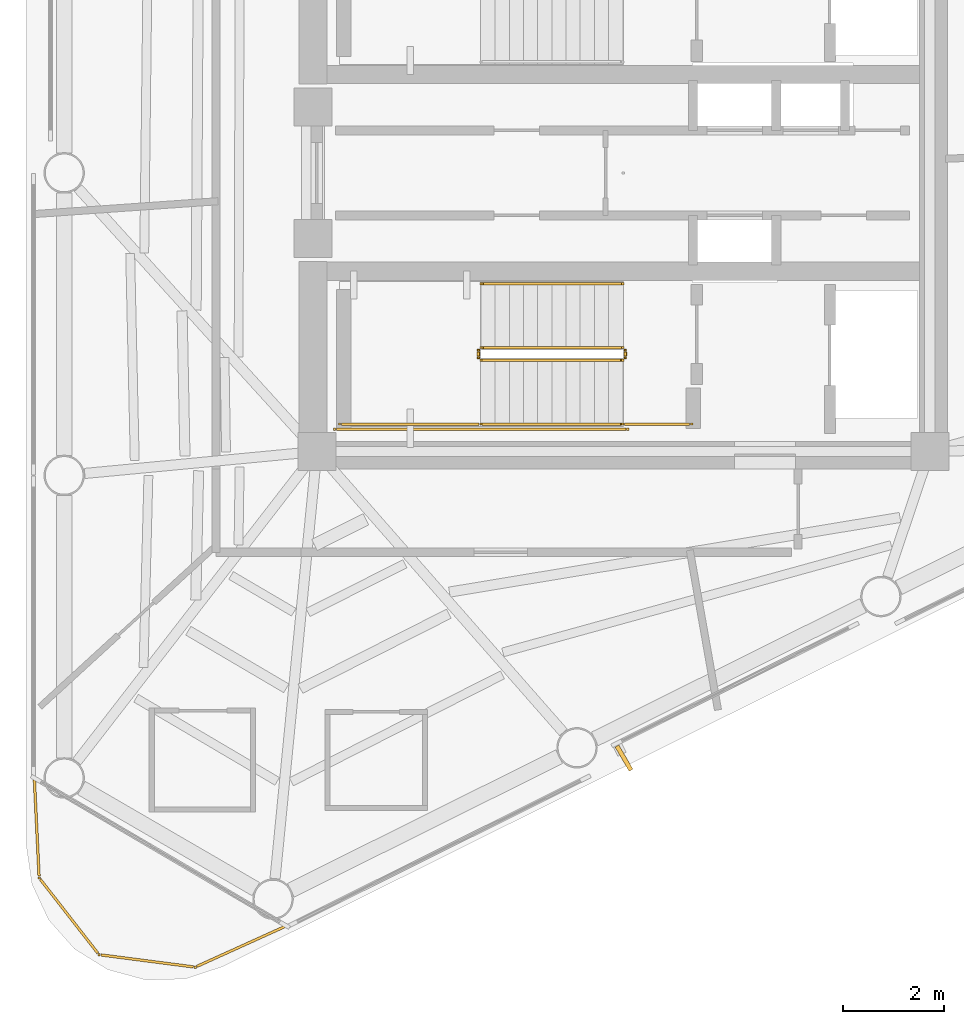
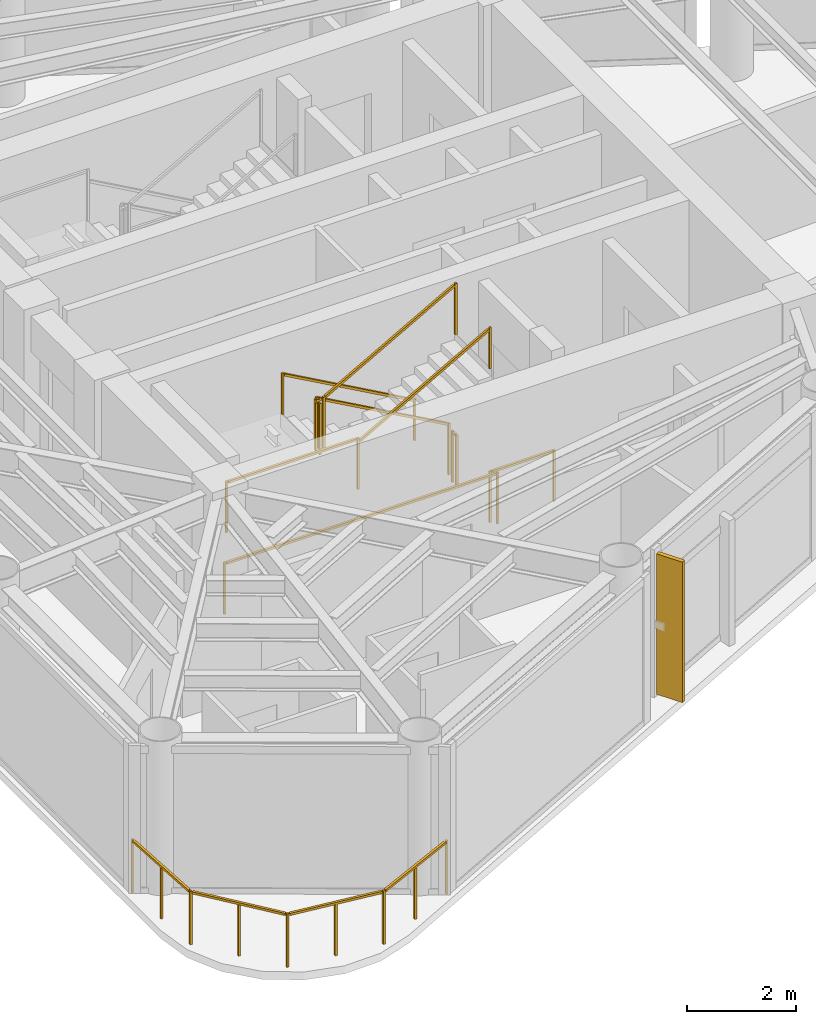
# One storey, part 7 of 10: 10 railings, 1 shading device.
"""IFC4 building model written with IfcOpenShell, lengths in metres."""

from ifc_helpers import new_model, si_unit, direction, frame, origin, origin_2d, place, context, subcontext, project, spatial, rectangle, extrude, source, transform, mapped, material, material_profile, profile_set, type_object, element, save


model = new_model("IFC4")

# Units and contexts
model_context = context("Model", 3, precision=1e-05, world=origin(), true_north=direction((0.0, 1.0)))
body_context = subcontext(model_context, "Body", "Model", "MODEL_VIEW")
ifc_project = project(units=[si_unit("LENGTHUNIT", "METRE"), si_unit("AREAUNIT", "SQUARE_METRE"), si_unit("VOLUMEUNIT", "CUBIC_METRE"), si_unit("PLANEANGLEUNIT", "RADIAN"), si_unit("MASSUNIT", "GRAM", prefix="KILO")], contexts=[model_context])

# Site, building, storey
site_placement = place(None, origin())
site = spatial("IfcSite", under=ifc_project, at=site_placement, CompositionType="ELEMENT")
building_placement = place(site_placement, origin())
building = spatial("IfcBuilding", under=site, at=building_placement, Name="Yunling Apex Tower", CompositionType="ELEMENT")
storey_placement = place(building_placement, frame((0.0, 0.0, 303.64990234375)))
storey = spatial("IfcBuildingStorey", under=building, at=storey_placement, Name="L74", CompositionType="ELEMENT", Elevation=303.64990234375)

# Railings
ifc_material_1 = material(Name="Bronze anodised aluminium", Category="aluminium")
railing_type_1 = type_object("IfcRailingType", Name="RL-BAL-1200", PredefinedType="BALUSTRADE", material=ifc_material_1)
railing_1_placement = place(storey_placement, frame((-6.651123046875, -14.864990234375, 0.0)))
element("IfcRailing", 1, at=railing_1_placement, inside=storey, type_object=railing_type_1, Name="RL-CRNSILL-L74-3", PredefinedType="BALUSTRADE", context=body_context, shape_type="SweptSolid", body=[
    extrude(rectangle(XDim=0.0439453125, YDim=0.0439453125, at=origin_2d()), origin(), (0.0, 0.0, 1.0), 1.199951171875),
    extrude(rectangle(XDim=0.0439453125, YDim=0.0439453125, at=origin_2d()), frame((-1.799560546875, -0.814697265625, 0.0)), (0.0, 0.0, 1.0), 1.199951171875),
    extrude(rectangle(XDim=0.050048828125, YDim=0.050048828125, at=origin_2d()), frame((-0.034912109375, -0.015869140625, 1.1748046875), z_axis=(-0.910991856267, -0.412424341929, 0.0), x_axis=(0.412424341929, -0.910991856267, 0.0)), (0.0, 0.0, 1.0), 1.898681640625),
    extrude(rectangle(XDim=0.0439453125, YDim=0.0439453125, at=origin_2d()), frame((-0.89990234375, -0.4072265625, 0.0)), (0.0, 0.0, 1.0), 1.14599609375),
    extrude(rectangle(XDim=0.0439453125, YDim=0.0439453125, at=origin_2d()), frame((-3.69921875, -0.568603515625, 0.0)), (0.0, 0.0, 1.0), 1.199951171875),
    extrude(rectangle(XDim=0.050048828125, YDim=0.050048828125, at=origin_2d()), frame((-1.837646484375, -0.809814453125, 1.1748046875), z_axis=(-0.991713034877, 0.128472784881, 0.0), x_axis=(-0.128472784881, -0.991713034877, 0.0)), (0.0, 0.0, 1.0), 1.8388671875),
    extrude(rectangle(XDim=0.0439453125, YDim=0.0439453125, at=origin_2d()), frame((-2.74951171875, -0.691650390625, 0.0)), (0.0, 0.0, 1.0), 1.14599609375),
    extrude(rectangle(XDim=0.0439453125, YDim=0.0439453125, at=origin_2d()), frame((-4.880126953125, 0.947265625, 0.0)), (0.0, 0.0, 1.0), 1.199951171875),
    extrude(rectangle(XDim=0.050048828125, YDim=0.050048828125, at=origin_2d()), frame((-3.72265625, -0.538330078125, 1.1748046875), z_axis=(-0.61455614591, 0.788873084548, 0.0), x_axis=(-0.788873084548, -0.61455614591, 0.0)), (0.0, 0.0, 1.0), 1.844970703125),
    extrude(rectangle(XDim=0.0439453125, YDim=0.0439453125, at=origin_2d()), frame((-4.28955078125, 0.189453125, 0.0)), (0.0, 0.0, 1.0), 1.14599609375),
    extrude(rectangle(XDim=0.0439453125, YDim=0.0439453125, at=origin_2d()), frame((-4.97607421875, 2.919677734375, 0.0)), (0.0, 0.0, 1.0), 1.199951171875),
    extrude(rectangle(XDim=0.050048828125, YDim=0.050048828125, at=origin_2d()), frame((-4.882080078125, 0.985595703125, 1.1748046875), z_axis=(-0.048587182269, 0.998818945415, 0.0), x_axis=(-0.998818945415, -0.048587182269, 0.0)), (0.0, 0.0, 1.0), 1.898193359375),
    extrude(rectangle(XDim=0.0439453125, YDim=0.0439453125, at=origin_2d()), frame((-4.92822265625, 1.93359375, 0.0)), (0.0, 0.0, 1.0), 1.14599609375),
])
ifc_material_2 = material(Name="Steel Q355B", Category="steel")
railing_type_2 = type_object("IfcRailingType", Name="RL-GRD-1150", PredefinedType="GUARDRAIL", material=ifc_material_2)
railing_2_placement = place(storey_placement, frame((-0.010009765625, -3.449951171875, 0.156982421875)))
element("IfcRailing", 2, at=railing_2_placement, inside=storey, type_object=railing_type_2, Name="L74 ST-2 stair guard 1", PredefinedType="GUARDRAIL", context=body_context, shape_type="SweptSolid", body=[
    extrude(rectangle(XDim=0.0439453125, YDim=0.0439453125, at=origin_2d()), origin(), (0.0, 0.0, 1.0), 1.14990234375),
    extrude(rectangle(XDim=0.0439453125, YDim=0.0439453125, at=origin_2d()), frame((-2.800048828125, 0.0, 1.568115234375)), (0.0, 0.0, 1.0), 1.14990234375),
    extrude(rectangle(XDim=0.050048828125, YDim=0.050048828125, at=origin_2d()), frame((-0.033447265625, 0.0, 1.1435546875), z_axis=(-0.872494340497, 0.0, 0.48862421737), x_axis=(0.0, -1.0, 0.0)), (0.0, 0.0, 1.0), 3.132568359375),
])
railing_3_placement = place(storey_placement, frame((-2.860107421875, -3.5, 1.72509765625)))
element("IfcRailing", 3, at=railing_3_placement, inside=storey, type_object=railing_type_2, Name="L74 ST-2 stair guard 2", PredefinedType="GUARDRAIL", context=body_context, shape_type="SweptSolid", body=[
    extrude(rectangle(XDim=0.0439453125, YDim=0.0439453125, at=origin_2d()), origin(), (0.0, 0.0, 1.0), 1.14990234375),
    extrude(rectangle(XDim=0.0439453125, YDim=0.0439453125, at=origin_2d()), frame((0.0, -0.14990234375, 0.0)), (0.0, 0.0, 1.0), 1.14990234375),
    extrude(rectangle(XDim=0.050048828125, YDim=0.050048828125, at=origin_2d()), frame((0.0, -0.038330078125, 1.125), z_axis=(0.0, -1.0, 0.0), x_axis=(1.0, 0.0, 0.0)), (0.0, 0.0, 1.0), 0.0732421875),
])
railing_4_placement = place(storey_placement, frame((-2.81005859375, -4.9599609375, 1.72509765625)))
element("IfcRailing", 4, at=railing_4_placement, inside=storey, type_object=railing_type_2, Name="L74 ST-2 stair guard 3", PredefinedType="GUARDRAIL", context=body_context, shape_type="SweptSolid", body=[
    extrude(rectangle(XDim=0.0439453125, YDim=0.0439453125, at=origin_2d()), origin(), (0.0, 0.0, 1.0), 1.14990234375),
    extrude(rectangle(XDim=0.0439453125, YDim=0.0439453125, at=origin_2d()), frame((-2.7900390625, 0.0, 0.0)), (0.0, 0.0, 1.0), 1.14990234375),
    extrude(rectangle(XDim=0.050048828125, YDim=0.050048828125, at=origin_2d()), frame((-0.038330078125, 0.0, 1.125), z_axis=(-1.0, 0.0, 0.0), x_axis=(0.0, -1.0, 0.0)), (0.0, 0.0, 1.0), 2.71337890625),
])
railing_5_placement = place(storey_placement, frame((-2.81005859375, -3.699951171875, 1.8818359375)))
element("IfcRailing", 5, at=railing_5_placement, inside=storey, type_object=railing_type_2, Name="L74 ST-2 stair guard 4", PredefinedType="GUARDRAIL", context=body_context, shape_type="SweptSolid", body=[
    extrude(rectangle(XDim=0.0439453125, YDim=0.0439453125, at=origin_2d()), origin(), (0.0, 0.0, 1.0), 1.14990234375),
    extrude(rectangle(XDim=0.0439453125, YDim=0.0439453125, at=origin_2d()), frame((2.800048828125, 0.0, 1.568359375)), (0.0, 0.0, 1.0), 1.14990234375),
    extrude(rectangle(XDim=0.050048828125, YDim=0.050048828125, at=origin_2d()), frame((0.033447265625, 0.0, 1.1435546875), z_axis=(0.872461907711, 0.0, 0.488682125306), x_axis=(0.0, 1.0, 0.0)), (0.0, 0.0, 1.0), 3.1328125),
])
railing_6_placement = place(storey_placement, frame((0.0400390625, -3.5, 0.0)))
element("IfcRailing", 6, at=railing_6_placement, inside=storey, type_object=railing_type_2, Name="L74 ST-2 stair guard 5", PredefinedType="GUARDRAIL", context=body_context, shape_type="SweptSolid", body=[
    extrude(rectangle(XDim=0.0439453125, YDim=0.0439453125, at=origin_2d()), origin(), (0.0, 0.0, 1.0), 1.14990234375),
    extrude(rectangle(XDim=0.0439453125, YDim=0.0439453125, at=origin_2d()), frame((0.0, -0.14990234375, 0.0)), (0.0, 0.0, 1.0), 1.14990234375),
    extrude(rectangle(XDim=0.050048828125, YDim=0.050048828125, at=origin_2d()), frame((0.0, -0.038330078125, 1.125), z_axis=(0.0, -1.0, 0.0), x_axis=(1.0, 0.0, 0.0)), (0.0, 0.0, 1.0), 0.0732421875),
])
railing_7_placement = place(storey_placement, frame((1.35009765625, -4.9599609375, 0.0)))
element("IfcRailing", 7, at=railing_7_placement, inside=storey, type_object=railing_type_2, Name="L74 ST-2 stair guard 6", PredefinedType="GUARDRAIL", context=body_context, shape_type="SweptSolid", body=[
    extrude(rectangle(XDim=0.0439453125, YDim=0.0439453125, at=origin_2d()), origin(), (0.0, 0.0, 1.0), 1.14990234375),
    extrude(rectangle(XDim=0.0439453125, YDim=0.0439453125, at=origin_2d()), frame((-1.360107421875, 0.0, 0.0)), (0.0, 0.0, 1.0), 1.14990234375),
    extrude(rectangle(XDim=0.050048828125, YDim=0.050048828125, at=origin_2d()), frame((-0.038330078125, 0.0, 1.125), z_axis=(-1.0, 0.0, 0.0), x_axis=(0.0, -1.0, 0.0)), (0.0, 0.0, 1.0), 1.283447265625),
])
railing_8_placement = place(storey_placement, frame((0.090087890625, -5.06005859375, 0.0)))
element("IfcRailing", 8, at=railing_8_placement, inside=storey, type_object=railing_type_2, Name="L74 ST-2 stair guard 7", PredefinedType="GUARDRAIL", context=body_context, shape_type="SweptSolid", body=[
    extrude(rectangle(XDim=0.0439453125, YDim=0.0439453125, at=origin_2d()), origin(), (0.0, 0.0, 1.0), 1.14990234375),
    extrude(rectangle(XDim=0.0439453125, YDim=0.0439453125, at=origin_2d()), frame((-5.7900390625, 0.0, 0.0)), (0.0, 0.0, 1.0), 1.14990234375),
    extrude(rectangle(XDim=0.050048828125, YDim=0.050048828125, at=origin_2d()), frame((-0.038330078125, 0.0, 1.125), z_axis=(-1.0, 0.0, 0.0), x_axis=(0.0, -1.0, 0.0)), (0.0, 0.0, 1.0), 5.71337890625),
])
ifc_material_3 = material(Name="Silver anodised aluminium", Category="aluminium")
railing_type_3 = type_object("IfcRailingType", Name="RL-HND-900", PredefinedType="HANDRAIL", material=ifc_material_3)
railing_9_placement = place(storey_placement, frame((-0.010009765625, -2.18994140625, 0.156982421875)))
element("IfcRailing", 9, at=railing_9_placement, inside=storey, type_object=railing_type_3, Name="L74 ST-2 stair handrail 1", PredefinedType="HANDRAIL", context=body_context, shape_type="SweptSolid", body=[
    extrude(rectangle(XDim=0.0439453125, YDim=0.0439453125, at=origin_2d()), origin(), (0.0, 0.0, 1.0), 0.919921875),
    extrude(rectangle(XDim=0.0439453125, YDim=0.0439453125, at=origin_2d()), frame((-2.800048828125, 0.0, 1.568115234375)), (0.0, 0.0, 1.0), 0.919921875),
    extrude(rectangle(XDim=0.050048828125, YDim=0.050048828125, at=origin_2d()), frame((-0.033447265625, 0.0, 0.91357421875), z_axis=(-0.872494340497, 0.0, 0.48862421737), x_axis=(0.0, -1.0, 0.0)), (0.0, 0.0, 1.0), 3.132568359375),
])
railing_10_placement = place(storey_placement, frame((-2.81005859375, -4.9599609375, 1.8818359375)))
element("IfcRailing", 10, at=railing_10_placement, inside=storey, type_object=railing_type_3, Name="L74 ST-2 stair handrail 2", PredefinedType="HANDRAIL", context=body_context, shape_type="SweptSolid", body=[
    extrude(rectangle(XDim=0.0439453125, YDim=0.0439453125, at=origin_2d()), origin(), (0.0, 0.0, 1.0), 0.919921875),
    extrude(rectangle(XDim=0.0439453125, YDim=0.0439453125, at=origin_2d()), frame((2.800048828125, 0.0, 1.568359375)), (0.0, 0.0, 1.0), 0.919921875),
    extrude(rectangle(XDim=0.050048828125, YDim=0.050048828125, at=origin_2d()), frame((0.033447265625, 0.0, 0.91357421875), z_axis=(0.872461907711, 0.0, 0.488682125306), x_axis=(0.0, 1.0, 0.0)), (0.0, 0.0, 1.0), 3.1328125),
])

# Shading device
ifc_material_profile = material_profile(ifc_material_1, rectangle(XDim=0.0849609375, YDim=0.550048828125, at=origin_2d()))
ifc_profile_set = profile_set([ifc_material_profile], Name="Bronze anodised aluminium")
shading_device_type = type_object("IfcShadingDeviceType", Name="FN-BRZ-3", PredefinedType="USERDEFINED", material=ifc_profile_set)
shared_shape = source(origin(), body_context, "Body", "SweptSolid", [
    extrude(rectangle(XDim=0.0849609375, YDim=0.550048828125, at=origin_2d()), origin(), (0.0, 0.0, 1.0), 3.14990234375),
])
shading_device_placement = place(storey_placement, frame((0.013671875, -11.553466796875, 0.06005859375), z_axis=(0.0, 0.0, 1.0), x_axis=(0.864186995248, 0.503170783377, 0.0)))
element("IfcShadingDevice", 11, at=shading_device_placement, inside=storey, type_object=shading_device_type, Name="CW-L74-F1-B2-FIN-01", ObjectType="FIN", PredefinedType="USERDEFINED", context=body_context, shape_type="MappedRepresentation", body=[
    mapped(shared_shape, transform((0.0, 0.0, 0.0), scale=1.0)),
])

save(model, "model.ifc")
